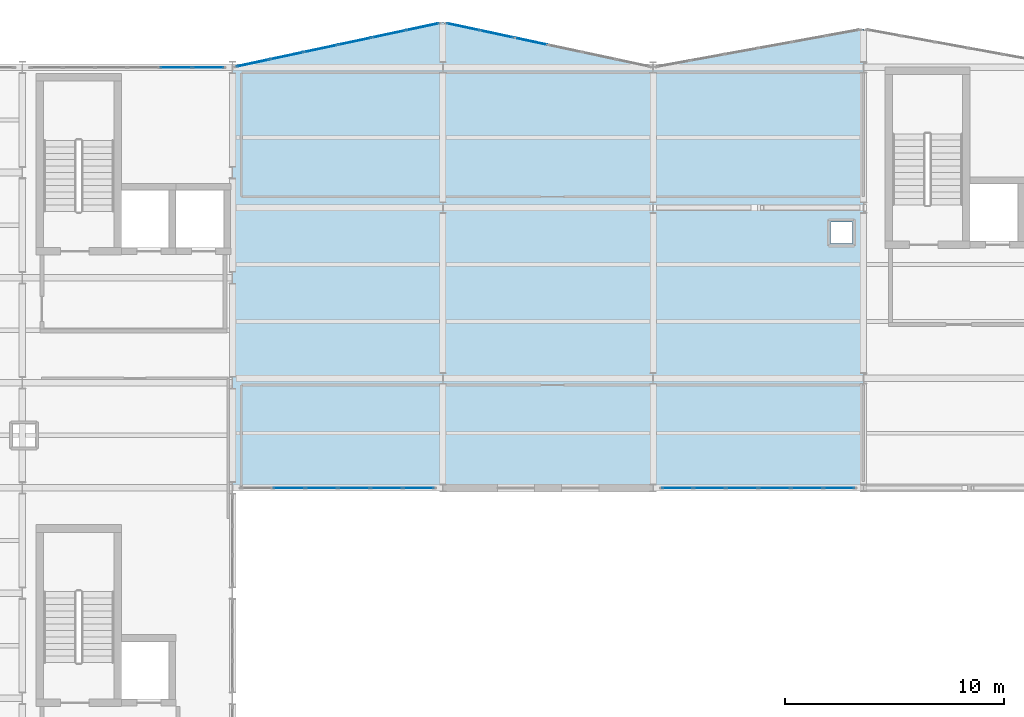
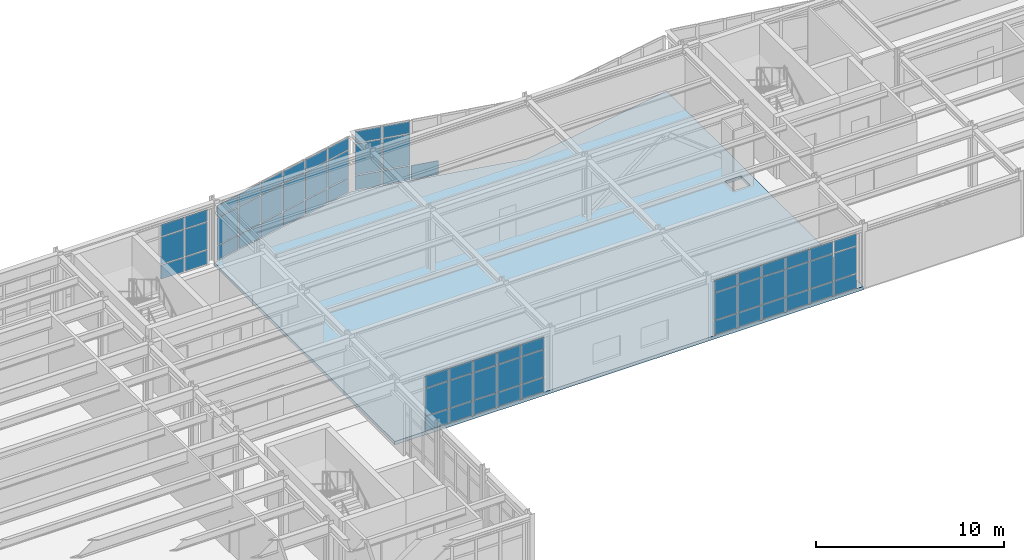
# One storey, part 47 of 64: 64 plates, 1 slab, 5 elements without a shape of their own.
"""IFC4 building model written with IfcOpenShell, lengths in metres."""

from ifc_helpers import new_model, si_unit, direction, frame, origin, origin_2d, place, context, subcontext, project, spatial, polyline, rectangle, outline, extrude, material, layer, layer_set, type_object, element, aggregate, save


model = new_model("IFC4")

# Units and contexts
model_context = context("Model", 3, precision=1e-05, world=origin(), true_north=direction((0.0, 1.0)))
body_context = subcontext(model_context, "Body", "Model", "MODEL_VIEW")
ifc_project = project(units=[si_unit("LENGTHUNIT", "METRE"), si_unit("AREAUNIT", "SQUARE_METRE"), si_unit("VOLUMEUNIT", "CUBIC_METRE"), si_unit("PLANEANGLEUNIT", "RADIAN"), si_unit("MASSUNIT", "GRAM", prefix="KILO")], contexts=[model_context])

# Site, building, storey
site_placement = place(None, origin())
site = spatial("IfcSite", under=ifc_project, at=site_placement, CompositionType="ELEMENT")
building_placement = place(site_placement, origin())
building = spatial("IfcBuilding", under=site, at=building_placement, Name="Nordkorset Police Headquarters", CompositionType="ELEMENT")
storey_placement = place(building_placement, frame((0.0, 0.0, 17.85009765625)))
storey = spatial("IfcBuildingStorey", under=building, at=storey_placement, Name="L04", CompositionType="ELEMENT", Elevation=17.85009765625)

# Curtain wall, plates
ifc_material_1 = material(Name="Aluminium alloy AW-6060", Category="aluminium")
ifc_layer_1 = layer(ifc_material_1, 0.179931640625, Name="Aluminium alloy AW-6060")
ifc_layer_set_1 = layer_set([ifc_layer_1], Name="Aluminium alloy AW-6060")
curtain_wall_type_1 = type_object("IfcCurtainWallType", Name="CW_Unit_888x366", PredefinedType="USERDEFINED", material=ifc_layer_set_1)
curtain_wall_1_placement = place(storey_placement, origin())
curtain_wall_1 = element("IfcCurtainWall", 1, at=curtain_wall_1_placement, inside=storey, type_object=curtain_wall_type_1, Name="Unitised Curtain Wall L04 V1N-2", ObjectType="UNITISED CURTAIN WALL", PredefinedType="USERDEFINED")
ifc_material_2 = material(Name="Low-iron triple glazing", Category="glass")
ifc_layer_2 = layer(ifc_material_2, 0.035888671875, Name="Low-iron triple glazing")
ifc_layer_set_2 = layer_set([ifc_layer_2], Name="Low-iron triple glazing")
plate_type = type_object("IfcPlateType", Name="CW_Panel_TripleGlazing_36", PredefinedType="CURTAIN_PANEL", material=ifc_layer_set_2)
plate_1_placement = place(storey_placement, frame((26.219970703125, 116.800048828125, 0.06494140625), z_axis=(0.0, 0.0, 1.0), x_axis=(1.0, 0.0, 0.0)))
plate_1 = element("IfcPlate", 2, at=plate_1_placement, type_object=plate_type, Name="CW-19 panel 5.1", PredefinedType="CURTAIN_PANEL", context=body_context, shape_type="SweptSolid", body=[
    extrude(rectangle(XDim=1.4150390625, YDim=0.035888671875, at=origin_2d()), origin(), (0.0, 0.0, 1.0), 0.902587890625),
])
plate_2_placement = place(storey_placement, frame((26.219970703125, 116.800048828125, 1.0322265625), z_axis=(0.0, 0.0, 1.0), x_axis=(1.0, 0.0, 0.0)))
plate_2 = element("IfcPlate", 3, at=plate_2_placement, type_object=plate_type, Name="CW-19 panel 5.2", PredefinedType="CURTAIN_PANEL", context=body_context, shape_type="SweptSolid", body=[
    extrude(rectangle(XDim=1.4150390625, YDim=0.035888671875, at=origin_2d()), origin(), (0.0, 0.0, 1.0), 1.7451171875),
])
plate_3_placement = place(storey_placement, frame((26.219970703125, 116.800048828125, 2.842529296875), z_axis=(0.0, 0.0, 1.0), x_axis=(1.0, 0.0, 0.0)))
plate_3 = element("IfcPlate", 4, at=plate_3_placement, type_object=plate_type, Name="CW-19 panel 5.3", PredefinedType="CURTAIN_PANEL", context=body_context, shape_type="SweptSolid", body=[
    extrude(rectangle(XDim=1.4150390625, YDim=0.035888671875, at=origin_2d()), origin(), (0.0, 0.0, 1.0), 0.75244140625),
])
plate_4_placement = place(storey_placement, frame((27.683837890625, 116.800048828125, 0.06494140625), z_axis=(0.0, 0.0, 1.0), x_axis=(1.0, 0.0, 0.0)))
plate_4 = element("IfcPlate", 5, at=plate_4_placement, type_object=plate_type, Name="CW-19 panel 6.1", PredefinedType="CURTAIN_PANEL", context=body_context, shape_type="SweptSolid", body=[
    extrude(rectangle(XDim=1.382568359375, YDim=0.035888671875, at=origin_2d()), origin(), (0.0, 0.0, 1.0), 0.902587890625),
])
plate_5_placement = place(storey_placement, frame((27.683837890625, 116.800048828125, 1.0322265625), z_axis=(0.0, 0.0, 1.0), x_axis=(1.0, 0.0, 0.0)))
plate_5 = element("IfcPlate", 6, at=plate_5_placement, type_object=plate_type, Name="CW-19 panel 6.2", PredefinedType="CURTAIN_PANEL", context=body_context, shape_type="SweptSolid", body=[
    extrude(rectangle(XDim=1.382568359375, YDim=0.035888671875, at=origin_2d()), origin(), (0.0, 0.0, 1.0), 1.7451171875),
])
plate_6_placement = place(storey_placement, frame((27.683837890625, 116.800048828125, 2.842529296875), z_axis=(0.0, 0.0, 1.0), x_axis=(1.0, 0.0, 0.0)))
plate_6 = element("IfcPlate", 7, at=plate_6_placement, type_object=plate_type, Name="CW-19 panel 6.3", PredefinedType="CURTAIN_PANEL", context=body_context, shape_type="SweptSolid", body=[
    extrude(rectangle(XDim=1.382568359375, YDim=0.035888671875, at=origin_2d()), origin(), (0.0, 0.0, 1.0), 0.75244140625),
])
aggregate(curtain_wall_1, [plate_1, plate_2, plate_3, plate_4, plate_5, plate_6])

ifc_material_3 = material(Name="Aluminium alloy AW-6060", Category="aluminium")
ifc_layer_3 = layer(ifc_material_3, 0.179931640625, Name="Aluminium alloy AW-6060")
ifc_layer_set_3 = layer_set([ifc_layer_3], Name="Aluminium alloy AW-6060")
curtain_wall_type_2 = type_object("IfcCurtainWallType", Name="CW_Unit_954x366", PredefinedType="USERDEFINED", material=ifc_layer_set_3)
curtain_wall_2_placement = place(storey_placement, origin())
curtain_wall_2 = element("IfcCurtainWall", 8, at=curtain_wall_2_placement, inside=storey, type_object=curtain_wall_type_2, Name="Unitised Curtain Wall L04 V2N-0", ObjectType="UNITISED CURTAIN WALL", PredefinedType="USERDEFINED")
plate_7_placement = place(storey_placement, frame((29.72998046875, 116.99853515625, 0.06494140625), z_axis=(0.0, 0.0, 1.0), x_axis=(0.977951416289, 0.208832534289, 0.0)))
plate_7 = element("IfcPlate", 9, at=plate_7_placement, type_object=plate_type, Name="CW-110 panel 1.1", PredefinedType="CURTAIN_PANEL", context=body_context, shape_type="SweptSolid", body=[
    extrude(rectangle(XDim=1.491943359375, YDim=0.035888671875, at=origin_2d()), origin(), (0.0, 0.0, 1.0), 0.902587890625),
])
plate_8_placement = place(storey_placement, frame((29.72998046875, 116.99853515625, 1.0322265625), z_axis=(0.0, 0.0, 1.0), x_axis=(0.977951416289, 0.208832534289, 0.0)))
plate_8 = element("IfcPlate", 10, at=plate_8_placement, type_object=plate_type, Name="CW-110 panel 1.2", PredefinedType="CURTAIN_PANEL", context=body_context, shape_type="SweptSolid", body=[
    extrude(rectangle(XDim=1.491943359375, YDim=0.035888671875, at=origin_2d()), origin(), (0.0, 0.0, 1.0), 1.7451171875),
])
plate_9_placement = place(storey_placement, frame((29.72998046875, 116.99853515625, 2.842529296875), z_axis=(0.0, 0.0, 1.0), x_axis=(0.977951416289, 0.208832534289, 0.0)))
plate_9 = element("IfcPlate", 11, at=plate_9_placement, type_object=plate_type, Name="CW-110 panel 1.3", PredefinedType="CURTAIN_PANEL", context=body_context, shape_type="SweptSolid", body=[
    extrude(rectangle(XDim=1.491943359375, YDim=0.035888671875, at=origin_2d()), origin(), (0.0, 0.0, 1.0), 0.75244140625),
])
plate_10_placement = place(storey_placement, frame((31.2685546875, 117.3271484375, 0.06494140625), z_axis=(0.0, 0.0, 1.0), x_axis=(0.977951416289, 0.208832534289, 0.0)))
plate_10 = element("IfcPlate", 12, at=plate_10_placement, type_object=plate_type, Name="CW-110 panel 2.1", PredefinedType="CURTAIN_PANEL", context=body_context, shape_type="SweptSolid", body=[
    extrude(rectangle(XDim=1.5244140625, YDim=0.035888671875, at=origin_2d()), origin(), (0.0, 0.0, 1.0), 0.902587890625),
])
plate_11_placement = place(storey_placement, frame((31.2685546875, 117.3271484375, 1.0322265625), z_axis=(0.0, 0.0, 1.0), x_axis=(0.977951416289, 0.208832534289, 0.0)))
plate_11 = element("IfcPlate", 13, at=plate_11_placement, type_object=plate_type, Name="CW-110 panel 2.2", PredefinedType="CURTAIN_PANEL", context=body_context, shape_type="SweptSolid", body=[
    extrude(rectangle(XDim=1.5244140625, YDim=0.035888671875, at=origin_2d()), origin(), (0.0, 0.0, 1.0), 1.7451171875),
])
plate_12_placement = place(storey_placement, frame((31.2685546875, 117.3271484375, 2.842529296875), z_axis=(0.0, 0.0, 1.0), x_axis=(0.977951416289, 0.208832534289, 0.0)))
plate_12 = element("IfcPlate", 14, at=plate_12_placement, type_object=plate_type, Name="CW-110 panel 2.3", PredefinedType="CURTAIN_PANEL", context=body_context, shape_type="SweptSolid", body=[
    extrude(rectangle(XDim=1.5244140625, YDim=0.035888671875, at=origin_2d()), origin(), (0.0, 0.0, 1.0), 0.75244140625),
])
plate_13_placement = place(storey_placement, frame((32.82275390625, 117.658935546875, 0.06494140625), z_axis=(0.0, 0.0, 1.0), x_axis=(0.977951416289, 0.208832534289, 0.0)))
plate_13 = element("IfcPlate", 15, at=plate_13_placement, type_object=plate_type, Name="CW-110 panel 3.1", PredefinedType="CURTAIN_PANEL", context=body_context, shape_type="SweptSolid", body=[
    extrude(rectangle(XDim=1.5244140625, YDim=0.035888671875, at=origin_2d()), origin(), (0.0, 0.0, 1.0), 0.902587890625),
])
plate_14_placement = place(storey_placement, frame((32.82275390625, 117.658935546875, 1.0322265625), z_axis=(0.0, 0.0, 1.0), x_axis=(0.977951416289, 0.208832534289, 0.0)))
plate_14 = element("IfcPlate", 16, at=plate_14_placement, type_object=plate_type, Name="CW-110 panel 3.2", PredefinedType="CURTAIN_PANEL", context=body_context, shape_type="SweptSolid", body=[
    extrude(rectangle(XDim=1.5244140625, YDim=0.035888671875, at=origin_2d()), origin(), (0.0, 0.0, 1.0), 1.7451171875),
])
plate_15_placement = place(storey_placement, frame((32.82275390625, 117.658935546875, 2.842529296875), z_axis=(0.0, 0.0, 1.0), x_axis=(0.977951416289, 0.208832534289, 0.0)))
plate_15 = element("IfcPlate", 17, at=plate_15_placement, type_object=plate_type, Name="CW-110 panel 3.3", PredefinedType="CURTAIN_PANEL", context=body_context, shape_type="SweptSolid", body=[
    extrude(rectangle(XDim=1.5244140625, YDim=0.035888671875, at=origin_2d()), origin(), (0.0, 0.0, 1.0), 0.75244140625),
])
plate_16_placement = place(storey_placement, frame((34.377197265625, 117.990966796875, 0.06494140625), z_axis=(0.0, 0.0, 1.0), x_axis=(0.977951416289, 0.208832534289, 0.0)))
plate_16 = element("IfcPlate", 18, at=plate_16_placement, type_object=plate_type, Name="CW-110 panel 4.1", PredefinedType="CURTAIN_PANEL", context=body_context, shape_type="SweptSolid", body=[
    extrude(rectangle(XDim=1.5244140625, YDim=0.035888671875, at=origin_2d()), origin(), (0.0, 0.0, 1.0), 0.902587890625),
])
plate_17_placement = place(storey_placement, frame((34.377197265625, 117.990966796875, 1.0322265625), z_axis=(0.0, 0.0, 1.0), x_axis=(0.977951416289, 0.208832534289, 0.0)))
plate_17 = element("IfcPlate", 19, at=plate_17_placement, type_object=plate_type, Name="CW-110 panel 4.2", PredefinedType="CURTAIN_PANEL", context=body_context, shape_type="SweptSolid", body=[
    extrude(rectangle(XDim=1.5244140625, YDim=0.035888671875, at=origin_2d()), origin(), (0.0, 0.0, 1.0), 1.7451171875),
])
plate_18_placement = place(storey_placement, frame((34.377197265625, 117.990966796875, 2.842529296875), z_axis=(0.0, 0.0, 1.0), x_axis=(0.977951416289, 0.208832534289, 0.0)))
plate_18 = element("IfcPlate", 20, at=plate_18_placement, type_object=plate_type, Name="CW-110 panel 4.3", PredefinedType="CURTAIN_PANEL", context=body_context, shape_type="SweptSolid", body=[
    extrude(rectangle(XDim=1.5244140625, YDim=0.035888671875, at=origin_2d()), origin(), (0.0, 0.0, 1.0), 0.75244140625),
])
plate_19_placement = place(storey_placement, frame((35.931640625, 118.322998046875, 0.06494140625), z_axis=(0.0, 0.0, 1.0), x_axis=(0.977951416289, 0.208832534289, 0.0)))
plate_19 = element("IfcPlate", 21, at=plate_19_placement, type_object=plate_type, Name="CW-110 panel 5.1", PredefinedType="CURTAIN_PANEL", context=body_context, shape_type="SweptSolid", body=[
    extrude(rectangle(XDim=1.5244140625, YDim=0.035888671875, at=origin_2d()), origin(), (0.0, 0.0, 1.0), 0.902587890625),
])
plate_20_placement = place(storey_placement, frame((35.931640625, 118.322998046875, 1.0322265625), z_axis=(0.0, 0.0, 1.0), x_axis=(0.977951416289, 0.208832534289, 0.0)))
plate_20 = element("IfcPlate", 22, at=plate_20_placement, type_object=plate_type, Name="CW-110 panel 5.2", PredefinedType="CURTAIN_PANEL", context=body_context, shape_type="SweptSolid", body=[
    extrude(rectangle(XDim=1.5244140625, YDim=0.035888671875, at=origin_2d()), origin(), (0.0, 0.0, 1.0), 1.7451171875),
])
plate_21_placement = place(storey_placement, frame((35.931640625, 118.322998046875, 2.842529296875), z_axis=(0.0, 0.0, 1.0), x_axis=(0.977951416289, 0.208832534289, 0.0)))
plate_21 = element("IfcPlate", 23, at=plate_21_placement, type_object=plate_type, Name="CW-110 panel 5.3", PredefinedType="CURTAIN_PANEL", context=body_context, shape_type="SweptSolid", body=[
    extrude(rectangle(XDim=1.5244140625, YDim=0.035888671875, at=origin_2d()), origin(), (0.0, 0.0, 1.0), 0.75244140625),
])
plate_22_placement = place(storey_placement, frame((37.469970703125, 118.6513671875, 0.06494140625), z_axis=(0.0, 0.0, 1.0), x_axis=(0.977951416289, 0.208832534289, 0.0)))
plate_22 = element("IfcPlate", 24, at=plate_22_placement, type_object=plate_type, Name="CW-110 panel 6.1", PredefinedType="CURTAIN_PANEL", context=body_context, shape_type="SweptSolid", body=[
    extrude(rectangle(XDim=1.491943359375, YDim=0.035888671875, at=origin_2d()), origin(), (0.0, 0.0, 1.0), 0.902587890625),
])
plate_23_placement = place(storey_placement, frame((37.469970703125, 118.6513671875, 1.0322265625), z_axis=(0.0, 0.0, 1.0), x_axis=(0.977951416289, 0.208832534289, 0.0)))
plate_23 = element("IfcPlate", 25, at=plate_23_placement, type_object=plate_type, Name="CW-110 panel 6.2", PredefinedType="CURTAIN_PANEL", context=body_context, shape_type="SweptSolid", body=[
    extrude(rectangle(XDim=1.491943359375, YDim=0.035888671875, at=origin_2d()), origin(), (0.0, 0.0, 1.0), 1.7451171875),
])
plate_24_placement = place(storey_placement, frame((37.469970703125, 118.6513671875, 2.842529296875), z_axis=(0.0, 0.0, 1.0), x_axis=(0.977951416289, 0.208832534289, 0.0)))
plate_24 = element("IfcPlate", 26, at=plate_24_placement, type_object=plate_type, Name="CW-110 panel 6.3", PredefinedType="CURTAIN_PANEL", context=body_context, shape_type="SweptSolid", body=[
    extrude(rectangle(XDim=1.491943359375, YDim=0.035888671875, at=origin_2d()), origin(), (0.0, 0.0, 1.0), 0.75244140625),
])
aggregate(curtain_wall_2, [plate_7, plate_8, plate_9, plate_10, plate_11, plate_12, plate_13, plate_14, plate_15, plate_16, plate_17, plate_18, plate_19, plate_20, plate_21, plate_22, plate_23, plate_24])

curtain_wall_3_placement = place(storey_placement, origin())
curtain_wall_3 = element("IfcCurtainWall", 27, at=curtain_wall_3_placement, inside=storey, type_object=curtain_wall_type_1, Name="Unitised Curtain Wall L04 V2S-0", ObjectType="UNITISED CURTAIN WALL", PredefinedType="USERDEFINED")
plate_25_placement = place(storey_placement, frame((31.3798828125, 97.60009765625, 0.06494140625), z_axis=(0.0, 0.0, 1.0), x_axis=(1.0, 0.0, 0.0)))
plate_25 = element("IfcPlate", 28, at=plate_25_placement, type_object=plate_type, Name="CW-19 panel 2.1", PredefinedType="CURTAIN_PANEL", context=body_context, shape_type="SweptSolid", body=[
    extrude(rectangle(XDim=1.4150390625, YDim=0.035888671875, at=origin_2d()), origin(), (0.0, 0.0, 1.0), 0.902587890625),
])
plate_26_placement = place(storey_placement, frame((31.3798828125, 97.60009765625, 1.0322265625), z_axis=(0.0, 0.0, 1.0), x_axis=(1.0, 0.0, 0.0)))
plate_26 = element("IfcPlate", 29, at=plate_26_placement, type_object=plate_type, Name="CW-19 panel 2.2", PredefinedType="CURTAIN_PANEL", context=body_context, shape_type="SweptSolid", body=[
    extrude(rectangle(XDim=1.4150390625, YDim=0.035888671875, at=origin_2d()), origin(), (0.0, 0.0, 1.0), 1.739990234375),
])
plate_27_placement = place(storey_placement, frame((31.3798828125, 97.60009765625, 2.83740234375), z_axis=(0.0, 0.0, 1.0), x_axis=(1.0, 0.0, 0.0)))
plate_27 = element("IfcPlate", 30, at=plate_27_placement, type_object=plate_type, Name="CW-19 panel 2.3", PredefinedType="CURTAIN_PANEL", context=body_context, shape_type="SweptSolid", body=[
    extrude(rectangle(XDim=1.4150390625, YDim=0.035888671875, at=origin_2d()), origin(), (0.0, 0.0, 1.0), 0.75244140625),
])
plate_28_placement = place(storey_placement, frame((32.860107421875, 97.60009765625, 0.06494140625), z_axis=(0.0, 0.0, 1.0), x_axis=(1.0, 0.0, 0.0)))
plate_28 = element("IfcPlate", 31, at=plate_28_placement, type_object=plate_type, Name="CW-19 panel 3.1", PredefinedType="CURTAIN_PANEL", context=body_context, shape_type="SweptSolid", body=[
    extrude(rectangle(XDim=1.4150390625, YDim=0.035888671875, at=origin_2d()), origin(), (0.0, 0.0, 1.0), 0.902587890625),
])
plate_29_placement = place(storey_placement, frame((32.860107421875, 97.60009765625, 1.0322265625), z_axis=(0.0, 0.0, 1.0), x_axis=(1.0, 0.0, 0.0)))
plate_29 = element("IfcPlate", 32, at=plate_29_placement, type_object=plate_type, Name="CW-19 panel 3.2", PredefinedType="CURTAIN_PANEL", context=body_context, shape_type="SweptSolid", body=[
    extrude(rectangle(XDim=1.4150390625, YDim=0.035888671875, at=origin_2d()), origin(), (0.0, 0.0, 1.0), 1.739990234375),
])
plate_30_placement = place(storey_placement, frame((32.860107421875, 97.60009765625, 2.83740234375), z_axis=(0.0, 0.0, 1.0), x_axis=(1.0, 0.0, 0.0)))
plate_30 = element("IfcPlate", 33, at=plate_30_placement, type_object=plate_type, Name="CW-19 panel 3.3", PredefinedType="CURTAIN_PANEL", context=body_context, shape_type="SweptSolid", body=[
    extrude(rectangle(XDim=1.4150390625, YDim=0.035888671875, at=origin_2d()), origin(), (0.0, 0.0, 1.0), 0.75244140625),
])
plate_31_placement = place(storey_placement, frame((34.340087890625, 97.60009765625, 0.06494140625), z_axis=(0.0, 0.0, 1.0), x_axis=(1.0, 0.0, 0.0)))
plate_31 = element("IfcPlate", 34, at=plate_31_placement, type_object=plate_type, Name="CW-19 panel 4.1", PredefinedType="CURTAIN_PANEL", context=body_context, shape_type="SweptSolid", body=[
    extrude(rectangle(XDim=1.4150390625, YDim=0.035888671875, at=origin_2d()), origin(), (0.0, 0.0, 1.0), 0.902587890625),
])
plate_32_placement = place(storey_placement, frame((34.340087890625, 97.60009765625, 1.0322265625), z_axis=(0.0, 0.0, 1.0), x_axis=(1.0, 0.0, 0.0)))
plate_32 = element("IfcPlate", 35, at=plate_32_placement, type_object=plate_type, Name="CW-19 panel 4.2", PredefinedType="CURTAIN_PANEL", context=body_context, shape_type="SweptSolid", body=[
    extrude(rectangle(XDim=1.4150390625, YDim=0.035888671875, at=origin_2d()), origin(), (0.0, 0.0, 1.0), 1.739990234375),
])
plate_33_placement = place(storey_placement, frame((34.340087890625, 97.60009765625, 2.83740234375), z_axis=(0.0, 0.0, 1.0), x_axis=(1.0, 0.0, 0.0)))
plate_33 = element("IfcPlate", 36, at=plate_33_placement, type_object=plate_type, Name="CW-19 panel 4.3", PredefinedType="CURTAIN_PANEL", context=body_context, shape_type="SweptSolid", body=[
    extrude(rectangle(XDim=1.4150390625, YDim=0.035888671875, at=origin_2d()), origin(), (0.0, 0.0, 1.0), 0.75244140625),
])
plate_34_placement = place(storey_placement, frame((35.820068359375, 97.60009765625, 0.06494140625), z_axis=(0.0, 0.0, 1.0), x_axis=(1.0, 0.0, 0.0)))
plate_34 = element("IfcPlate", 37, at=plate_34_placement, type_object=plate_type, Name="CW-19 panel 5.1", PredefinedType="CURTAIN_PANEL", context=body_context, shape_type="SweptSolid", body=[
    extrude(rectangle(XDim=1.4150390625, YDim=0.035888671875, at=origin_2d()), origin(), (0.0, 0.0, 1.0), 0.902587890625),
])
plate_35_placement = place(storey_placement, frame((35.820068359375, 97.60009765625, 1.0322265625), z_axis=(0.0, 0.0, 1.0), x_axis=(1.0, 0.0, 0.0)))
plate_35 = element("IfcPlate", 38, at=plate_35_placement, type_object=plate_type, Name="CW-19 panel 5.2", PredefinedType="CURTAIN_PANEL", context=body_context, shape_type="SweptSolid", body=[
    extrude(rectangle(XDim=1.4150390625, YDim=0.035888671875, at=origin_2d()), origin(), (0.0, 0.0, 1.0), 1.739990234375),
])
plate_36_placement = place(storey_placement, frame((35.820068359375, 97.60009765625, 2.83740234375), z_axis=(0.0, 0.0, 1.0), x_axis=(1.0, 0.0, 0.0)))
plate_36 = element("IfcPlate", 39, at=plate_36_placement, type_object=plate_type, Name="CW-19 panel 5.3", PredefinedType="CURTAIN_PANEL", context=body_context, shape_type="SweptSolid", body=[
    extrude(rectangle(XDim=1.4150390625, YDim=0.035888671875, at=origin_2d()), origin(), (0.0, 0.0, 1.0), 0.75244140625),
])
plate_37_placement = place(storey_placement, frame((37.28369140625, 97.60009765625, 0.06494140625), z_axis=(0.0, 0.0, 1.0), x_axis=(1.0, 0.0, 0.0)))
plate_37 = element("IfcPlate", 40, at=plate_37_placement, type_object=plate_type, Name="CW-19 panel 6.1", PredefinedType="CURTAIN_PANEL", context=body_context, shape_type="SweptSolid", body=[
    extrude(rectangle(XDim=1.382568359375, YDim=0.035888671875, at=origin_2d()), origin(), (0.0, 0.0, 1.0), 0.902587890625),
])
plate_38_placement = place(storey_placement, frame((37.28369140625, 97.60009765625, 1.0322265625), z_axis=(0.0, 0.0, 1.0), x_axis=(1.0, 0.0, 0.0)))
plate_38 = element("IfcPlate", 41, at=plate_38_placement, type_object=plate_type, Name="CW-19 panel 6.2", PredefinedType="CURTAIN_PANEL", context=body_context, shape_type="SweptSolid", body=[
    extrude(rectangle(XDim=1.382568359375, YDim=0.035888671875, at=origin_2d()), origin(), (0.0, 0.0, 1.0), 1.739990234375),
])
plate_39_placement = place(storey_placement, frame((37.28369140625, 97.60009765625, 2.83740234375), z_axis=(0.0, 0.0, 1.0), x_axis=(1.0, 0.0, 0.0)))
plate_39 = element("IfcPlate", 42, at=plate_39_placement, type_object=plate_type, Name="CW-19 panel 6.3", PredefinedType="CURTAIN_PANEL", context=body_context, shape_type="SweptSolid", body=[
    extrude(rectangle(XDim=1.382568359375, YDim=0.035888671875, at=origin_2d()), origin(), (0.0, 0.0, 1.0), 0.75244140625),
])
aggregate(curtain_wall_3, [plate_25, plate_26, plate_27, plate_28, plate_29, plate_30, plate_31, plate_32, plate_33, plate_34, plate_35, plate_36, plate_37, plate_38, plate_39])

ifc_material_4 = material(Name="Aluminium alloy AW-6060", Category="aluminium")
ifc_layer_4 = layer(ifc_material_4, 0.179931640625, Name="Aluminium alloy AW-6060")
ifc_layer_set_4 = layer_set([ifc_layer_4], Name="Aluminium alloy AW-6060")
curtain_wall_type_3 = type_object("IfcCurtainWallType", Name="CW_Unit_954x392", PredefinedType="USERDEFINED", material=ifc_layer_set_4)
curtain_wall_4_placement = place(storey_placement, origin())
curtain_wall_4 = element("IfcCurtainWall", 43, at=curtain_wall_4_placement, inside=storey, type_object=curtain_wall_type_3, Name="Unitised Curtain Wall L04 V2N-1", ObjectType="UNITISED CURTAIN WALL", PredefinedType="USERDEFINED")
plate_40_placement = place(storey_placement, frame((39.330078125, 118.6513671875, 0.06494140625), z_axis=(0.0, 0.0, 1.0), x_axis=(0.977951416289, -0.208832534289, 0.0)))
plate_40 = element("IfcPlate", 44, at=plate_40_placement, type_object=plate_type, Name="CW-20 panel 1.1", PredefinedType="CURTAIN_PANEL", context=body_context, shape_type="SweptSolid", body=[
    extrude(rectangle(XDim=1.491943359375, YDim=0.035888671875, at=origin_2d()), origin(), (0.0, 0.0, 1.0), 0.902587890625),
])
plate_41_placement = place(storey_placement, frame((39.330078125, 118.6513671875, 1.032470703125), z_axis=(0.0, 0.0, 1.0), x_axis=(0.977951416289, -0.208832534289, 0.0)))
plate_41 = element("IfcPlate", 45, at=plate_41_placement, type_object=plate_type, Name="CW-20 panel 1.2", PredefinedType="CURTAIN_PANEL", context=body_context, shape_type="SweptSolid", body=[
    extrude(rectangle(XDim=1.491943359375, YDim=0.035888671875, at=origin_2d()), origin(), (0.0, 0.0, 1.0), 2.0048828125),
])
plate_42_placement = place(storey_placement, frame((39.330078125, 118.6513671875, 3.1025390625), z_axis=(0.0, 0.0, 1.0), x_axis=(0.977951416289, -0.208832534289, 0.0)))
plate_42 = element("IfcPlate", 46, at=plate_42_placement, type_object=plate_type, Name="CW-20 panel 1.3", PredefinedType="CURTAIN_PANEL", context=body_context, shape_type="SweptSolid", body=[
    extrude(rectangle(XDim=1.491943359375, YDim=0.035888671875, at=origin_2d()), origin(), (0.0, 0.0, 1.0), 0.75244140625),
])
plate_43_placement = place(storey_placement, frame((40.868408203125, 118.322998046875, 0.06494140625), z_axis=(0.0, 0.0, 1.0), x_axis=(0.977951416289, -0.208832534289, 0.0)))
plate_43 = element("IfcPlate", 47, at=plate_43_placement, type_object=plate_type, Name="CW-20 panel 2.1", PredefinedType="CURTAIN_PANEL", context=body_context, shape_type="SweptSolid", body=[
    extrude(rectangle(XDim=1.5244140625, YDim=0.035888671875, at=origin_2d()), origin(), (0.0, 0.0, 1.0), 0.902587890625),
])
plate_44_placement = place(storey_placement, frame((40.868408203125, 118.322998046875, 1.032470703125), z_axis=(0.0, 0.0, 1.0), x_axis=(0.977951416289, -0.208832534289, 0.0)))
plate_44 = element("IfcPlate", 48, at=plate_44_placement, type_object=plate_type, Name="CW-20 panel 2.2", PredefinedType="CURTAIN_PANEL", context=body_context, shape_type="SweptSolid", body=[
    extrude(rectangle(XDim=1.5244140625, YDim=0.035888671875, at=origin_2d()), origin(), (0.0, 0.0, 1.0), 2.0048828125),
])
plate_45_placement = place(storey_placement, frame((40.868408203125, 118.322998046875, 3.1025390625), z_axis=(0.0, 0.0, 1.0), x_axis=(0.977951416289, -0.208832534289, 0.0)))
plate_45 = element("IfcPlate", 49, at=plate_45_placement, type_object=plate_type, Name="CW-20 panel 2.3", PredefinedType="CURTAIN_PANEL", context=body_context, shape_type="SweptSolid", body=[
    extrude(rectangle(XDim=1.5244140625, YDim=0.035888671875, at=origin_2d()), origin(), (0.0, 0.0, 1.0), 0.75244140625),
])
plate_46_placement = place(storey_placement, frame((42.4228515625, 117.990966796875, 0.06494140625), z_axis=(0.0, 0.0, 1.0), x_axis=(0.977951416289, -0.208832534289, 0.0)))
plate_46 = element("IfcPlate", 50, at=plate_46_placement, type_object=plate_type, Name="CW-20 panel 3.1", PredefinedType="CURTAIN_PANEL", context=body_context, shape_type="SweptSolid", body=[
    extrude(rectangle(XDim=1.5244140625, YDim=0.035888671875, at=origin_2d()), origin(), (0.0, 0.0, 1.0), 0.902587890625),
])
aggregate(curtain_wall_4, [plate_40, plate_41, plate_42, plate_43, plate_44, plate_45, plate_46])

curtain_wall_5_placement = place(storey_placement, origin())
curtain_wall_5 = element("IfcCurtainWall", 51, at=curtain_wall_5_placement, inside=storey, type_object=curtain_wall_type_1, Name="Unitised Curtain Wall L04 V2S-2", ObjectType="UNITISED CURTAIN WALL", PredefinedType="USERDEFINED")
plate_47_placement = place(storey_placement, frame((49.1162109375, 97.60009765625, 0.06494140625), z_axis=(0.0, 0.0, 1.0), x_axis=(1.0, 0.0, 0.0)))
plate_47 = element("IfcPlate", 52, at=plate_47_placement, type_object=plate_type, Name="CW-19 panel 1.1", PredefinedType="CURTAIN_PANEL", context=body_context, shape_type="SweptSolid", body=[
    extrude(rectangle(XDim=1.382568359375, YDim=0.035888671875, at=origin_2d()), origin(), (0.0, 0.0, 1.0), 0.902587890625),
])
plate_48_placement = place(storey_placement, frame((49.1162109375, 97.60009765625, 1.0322265625), z_axis=(0.0, 0.0, 1.0), x_axis=(1.0, 0.0, 0.0)))
plate_48 = element("IfcPlate", 53, at=plate_48_placement, type_object=plate_type, Name="CW-19 panel 1.2", PredefinedType="CURTAIN_PANEL", context=body_context, shape_type="SweptSolid", body=[
    extrude(rectangle(XDim=1.382568359375, YDim=0.035888671875, at=origin_2d()), origin(), (0.0, 0.0, 1.0), 1.739990234375),
])
plate_49_placement = place(storey_placement, frame((49.1162109375, 97.60009765625, 2.83740234375), z_axis=(0.0, 0.0, 1.0), x_axis=(1.0, 0.0, 0.0)))
plate_49 = element("IfcPlate", 54, at=plate_49_placement, type_object=plate_type, Name="CW-19 panel 1.3", PredefinedType="CURTAIN_PANEL", context=body_context, shape_type="SweptSolid", body=[
    extrude(rectangle(XDim=1.382568359375, YDim=0.035888671875, at=origin_2d()), origin(), (0.0, 0.0, 1.0), 0.75244140625),
])
plate_50_placement = place(storey_placement, frame((50.580078125, 97.60009765625, 0.06494140625), z_axis=(0.0, 0.0, 1.0), x_axis=(1.0, 0.0, 0.0)))
plate_50 = element("IfcPlate", 55, at=plate_50_placement, type_object=plate_type, Name="CW-19 panel 2.1", PredefinedType="CURTAIN_PANEL", context=body_context, shape_type="SweptSolid", body=[
    extrude(rectangle(XDim=1.4150390625, YDim=0.035888671875, at=origin_2d()), origin(), (0.0, 0.0, 1.0), 0.902587890625),
])
plate_51_placement = place(storey_placement, frame((50.580078125, 97.60009765625, 1.0322265625), z_axis=(0.0, 0.0, 1.0), x_axis=(1.0, 0.0, 0.0)))
plate_51 = element("IfcPlate", 56, at=plate_51_placement, type_object=plate_type, Name="CW-19 panel 2.2", PredefinedType="CURTAIN_PANEL", context=body_context, shape_type="SweptSolid", body=[
    extrude(rectangle(XDim=1.4150390625, YDim=0.035888671875, at=origin_2d()), origin(), (0.0, 0.0, 1.0), 1.739990234375),
])
plate_52_placement = place(storey_placement, frame((50.580078125, 97.60009765625, 2.83740234375), z_axis=(0.0, 0.0, 1.0), x_axis=(1.0, 0.0, 0.0)))
plate_52 = element("IfcPlate", 57, at=plate_52_placement, type_object=plate_type, Name="CW-19 panel 2.3", PredefinedType="CURTAIN_PANEL", context=body_context, shape_type="SweptSolid", body=[
    extrude(rectangle(XDim=1.4150390625, YDim=0.035888671875, at=origin_2d()), origin(), (0.0, 0.0, 1.0), 0.75244140625),
])
plate_53_placement = place(storey_placement, frame((52.06005859375, 97.60009765625, 0.06494140625), z_axis=(0.0, 0.0, 1.0), x_axis=(1.0, 0.0, 0.0)))
plate_53 = element("IfcPlate", 58, at=plate_53_placement, type_object=plate_type, Name="CW-19 panel 3.1", PredefinedType="CURTAIN_PANEL", context=body_context, shape_type="SweptSolid", body=[
    extrude(rectangle(XDim=1.4150390625, YDim=0.035888671875, at=origin_2d()), origin(), (0.0, 0.0, 1.0), 0.902587890625),
])
plate_54_placement = place(storey_placement, frame((52.06005859375, 97.60009765625, 1.0322265625), z_axis=(0.0, 0.0, 1.0), x_axis=(1.0, 0.0, 0.0)))
plate_54 = element("IfcPlate", 59, at=plate_54_placement, type_object=plate_type, Name="CW-19 panel 3.2", PredefinedType="CURTAIN_PANEL", context=body_context, shape_type="SweptSolid", body=[
    extrude(rectangle(XDim=1.4150390625, YDim=0.035888671875, at=origin_2d()), origin(), (0.0, 0.0, 1.0), 1.739990234375),
])
plate_55_placement = place(storey_placement, frame((52.06005859375, 97.60009765625, 2.83740234375), z_axis=(0.0, 0.0, 1.0), x_axis=(1.0, 0.0, 0.0)))
plate_55 = element("IfcPlate", 60, at=plate_55_placement, type_object=plate_type, Name="CW-19 panel 3.3", PredefinedType="CURTAIN_PANEL", context=body_context, shape_type="SweptSolid", body=[
    extrude(rectangle(XDim=1.4150390625, YDim=0.035888671875, at=origin_2d()), origin(), (0.0, 0.0, 1.0), 0.75244140625),
])
plate_56_placement = place(storey_placement, frame((53.5400390625, 97.60009765625, 0.06494140625), z_axis=(0.0, 0.0, 1.0), x_axis=(1.0, 0.0, 0.0)))
plate_56 = element("IfcPlate", 61, at=plate_56_placement, type_object=plate_type, Name="CW-19 panel 4.1", PredefinedType="CURTAIN_PANEL", context=body_context, shape_type="SweptSolid", body=[
    extrude(rectangle(XDim=1.4150390625, YDim=0.035888671875, at=origin_2d()), origin(), (0.0, 0.0, 1.0), 0.902587890625),
])
plate_57_placement = place(storey_placement, frame((53.5400390625, 97.60009765625, 1.0322265625), z_axis=(0.0, 0.0, 1.0), x_axis=(1.0, 0.0, 0.0)))
plate_57 = element("IfcPlate", 62, at=plate_57_placement, type_object=plate_type, Name="CW-19 panel 4.2", PredefinedType="CURTAIN_PANEL", context=body_context, shape_type="SweptSolid", body=[
    extrude(rectangle(XDim=1.4150390625, YDim=0.035888671875, at=origin_2d()), origin(), (0.0, 0.0, 1.0), 1.739990234375),
])
plate_58_placement = place(storey_placement, frame((53.5400390625, 97.60009765625, 2.83740234375), z_axis=(0.0, 0.0, 1.0), x_axis=(1.0, 0.0, 0.0)))
plate_58 = element("IfcPlate", 63, at=plate_58_placement, type_object=plate_type, Name="CW-19 panel 4.3", PredefinedType="CURTAIN_PANEL", context=body_context, shape_type="SweptSolid", body=[
    extrude(rectangle(XDim=1.4150390625, YDim=0.035888671875, at=origin_2d()), origin(), (0.0, 0.0, 1.0), 0.75244140625),
])
plate_59_placement = place(storey_placement, frame((55.02001953125, 97.60009765625, 0.06494140625), z_axis=(0.0, 0.0, 1.0), x_axis=(1.0, 0.0, 0.0)))
plate_59 = element("IfcPlate", 64, at=plate_59_placement, type_object=plate_type, Name="CW-19 panel 5.1", PredefinedType="CURTAIN_PANEL", context=body_context, shape_type="SweptSolid", body=[
    extrude(rectangle(XDim=1.4150390625, YDim=0.035888671875, at=origin_2d()), origin(), (0.0, 0.0, 1.0), 0.902587890625),
])
plate_60_placement = place(storey_placement, frame((55.02001953125, 97.60009765625, 1.0322265625), z_axis=(0.0, 0.0, 1.0), x_axis=(1.0, 0.0, 0.0)))
plate_60 = element("IfcPlate", 65, at=plate_60_placement, type_object=plate_type, Name="CW-19 panel 5.2", PredefinedType="CURTAIN_PANEL", context=body_context, shape_type="SweptSolid", body=[
    extrude(rectangle(XDim=1.4150390625, YDim=0.035888671875, at=origin_2d()), origin(), (0.0, 0.0, 1.0), 1.739990234375),
])
plate_61_placement = place(storey_placement, frame((55.02001953125, 97.60009765625, 2.83740234375), z_axis=(0.0, 0.0, 1.0), x_axis=(1.0, 0.0, 0.0)))
plate_61 = element("IfcPlate", 66, at=plate_61_placement, type_object=plate_type, Name="CW-19 panel 5.3", PredefinedType="CURTAIN_PANEL", context=body_context, shape_type="SweptSolid", body=[
    extrude(rectangle(XDim=1.4150390625, YDim=0.035888671875, at=origin_2d()), origin(), (0.0, 0.0, 1.0), 0.75244140625),
])
plate_62_placement = place(storey_placement, frame((56.483642578125, 97.60009765625, 0.06494140625), z_axis=(0.0, 0.0, 1.0), x_axis=(1.0, 0.0, 0.0)))
plate_62 = element("IfcPlate", 67, at=plate_62_placement, type_object=plate_type, Name="CW-19 panel 6.1", PredefinedType="CURTAIN_PANEL", context=body_context, shape_type="SweptSolid", body=[
    extrude(rectangle(XDim=1.382568359375, YDim=0.035888671875, at=origin_2d()), origin(), (0.0, 0.0, 1.0), 0.902587890625),
])
plate_63_placement = place(storey_placement, frame((56.483642578125, 97.60009765625, 1.0322265625), z_axis=(0.0, 0.0, 1.0), x_axis=(1.0, 0.0, 0.0)))
plate_63 = element("IfcPlate", 68, at=plate_63_placement, type_object=plate_type, Name="CW-19 panel 6.2", PredefinedType="CURTAIN_PANEL", context=body_context, shape_type="SweptSolid", body=[
    extrude(rectangle(XDim=1.382568359375, YDim=0.035888671875, at=origin_2d()), origin(), (0.0, 0.0, 1.0), 1.739990234375),
])
plate_64_placement = place(storey_placement, frame((56.483642578125, 97.60009765625, 2.83740234375), z_axis=(0.0, 0.0, 1.0), x_axis=(1.0, 0.0, 0.0)))
plate_64 = element("IfcPlate", 69, at=plate_64_placement, type_object=plate_type, Name="CW-19 panel 6.3", PredefinedType="CURTAIN_PANEL", context=body_context, shape_type="SweptSolid", body=[
    extrude(rectangle(XDim=1.382568359375, YDim=0.035888671875, at=origin_2d()), origin(), (0.0, 0.0, 1.0), 0.75244140625),
])
aggregate(curtain_wall_5, [plate_47, plate_48, plate_49, plate_50, plate_51, plate_52, plate_53, plate_54, plate_55, plate_56, plate_57, plate_58, plate_59, plate_60, plate_61, plate_62, plate_63, plate_64])

# Slab
ifc_material_5 = material(Name="Concrete C35/45", Category="concrete")
ifc_layer_5 = layer(ifc_material_5, 0.219970703125, Name="Concrete C35/45")
ifc_layer_set_5 = layer_set([ifc_layer_5], Name="Concrete C35/45")
slab_type = type_object("IfcSlabType", Name="Slab_Office_220", PredefinedType="FLOOR", material=ifc_layer_set_5)
slab_placement = place(storey_placement, frame((0.0, 0.0, -0.22021484375)))
element("IfcSlab", 70, at=slab_placement, inside=storey, type_object=slab_type, Name="Composite Floor Slab V2 West L04", PredefinedType="FLOOR", context=body_context, shape_type="SweptSolid", body=[
    extrude(outline(polyline([(28.802001953125, 116.800048828125), (38.39990234375, 118.85009765625), (48.0, 116.800048828125), (57.60009765625, 118.550048828125), (57.60009765625, 97.60009765625), (28.802001953125, 97.60009765625), (28.802001953125, 116.800048828125)]), holes=[polyline([(57.10009765625, 109.75), (56.10009765625, 109.75), (56.10009765625, 108.75), (57.10009765625, 108.75), (57.10009765625, 109.75)])]), origin(), (0.0, 0.0, 1.0), 0.22021484375),
])

save(model, "model.ifc")
